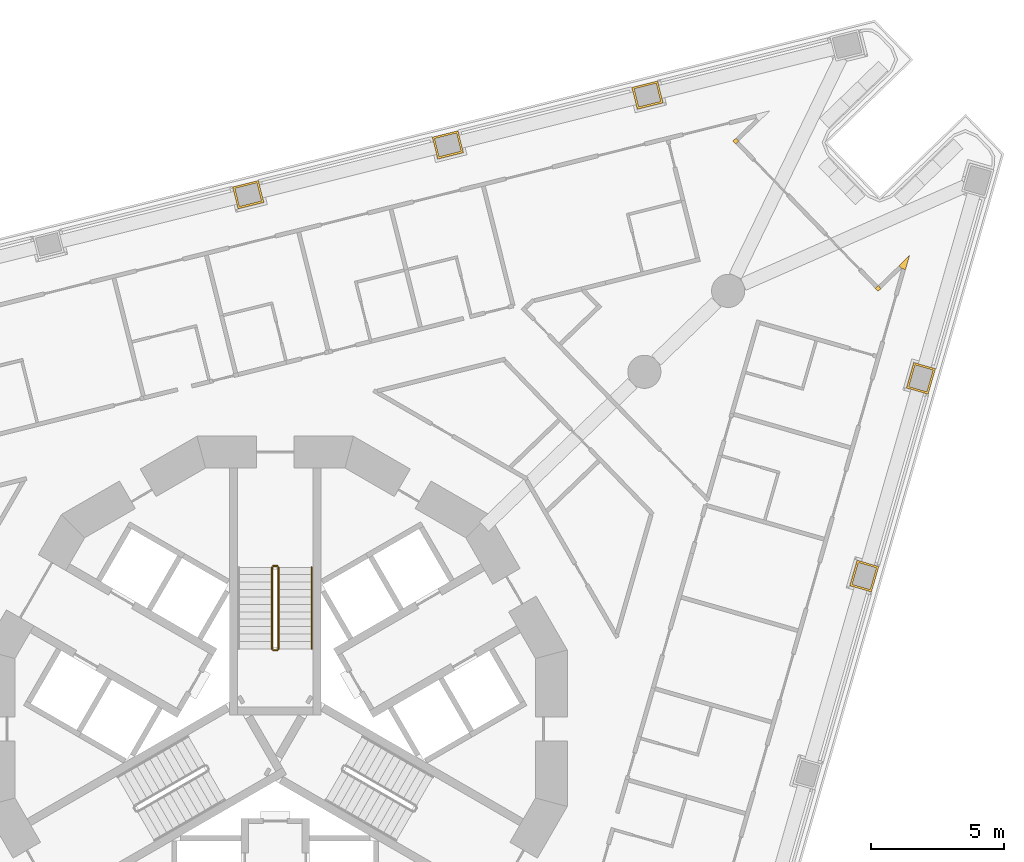
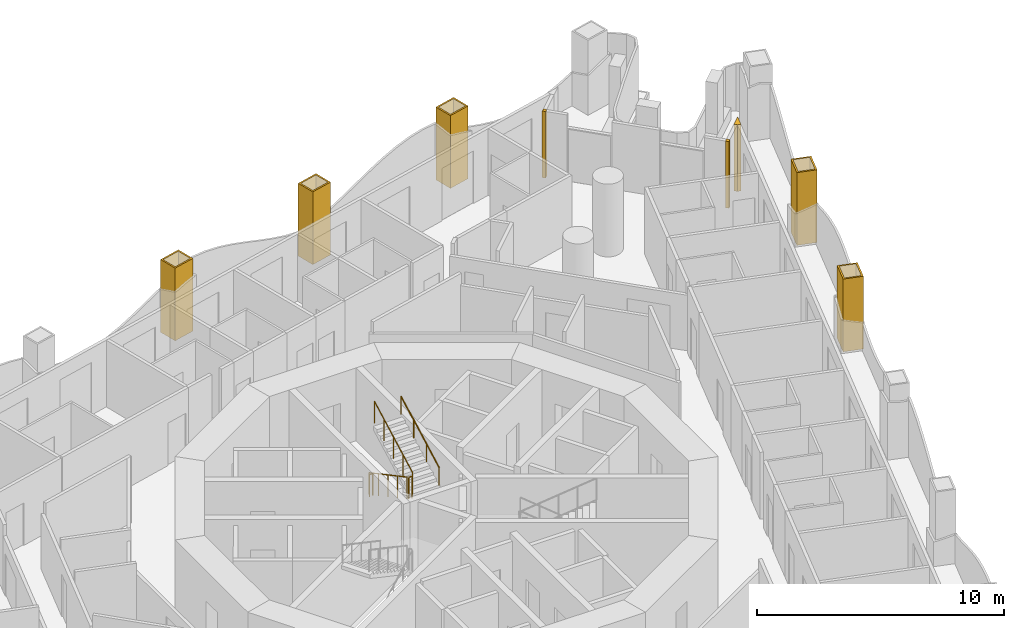
# One storey, part 17 of 19: 8 coverings, 5 railings.
"""IFC4 building model written with IfcOpenShell, lengths in metres."""

import ifcopenshell
import ifcopenshell.guid

model = None  # the IFC model being written
_history = None  # IfcOwnerHistory: only IFC2X3 demands one
_inside = {}  # id of a spatial element -> (the spatial element, [elements in it])
_under = {}  # id of a project, library or spatial element -> (it, [spatial elements below it])
_declared = {}  # id of a project -> (the project, [libraries it declares])
_typed = {}  # id of a type object -> (the type object, [elements of that type])
_made_of = {}  # id of a material, layer set ... -> (it, [elements and type objects made of it])


def new_model(schema):
    """Start an empty IFC model of exactly this schema.

    Asked for "IFC4X3", IfcOpenShell would pick the latest addendum, in which some entities
    have other attributes; the version numbers below select the first issue.
    IFC2X3 requires an IfcOwnerHistory on every rooted entity: one is made here for all.
    """
    global model, _history
    if schema == "IFC4X3":
        model = ifcopenshell.file(schema_version=(4, 3, 0, 0))
    else:
        model = ifcopenshell.file(schema=schema)
    _inside.clear()
    _under.clear()
    _declared.clear()
    _typed.clear()
    _made_of.clear()
    _history = None
    if model.schema == "IFC2X3":
        org = make("IfcOrganization", Name="unknown")
        user = make(
            "IfcPersonAndOrganization",
            ThePerson=make("IfcPerson", FamilyName="unknown"),
            TheOrganization=org,
        )
        app = make(
            "IfcApplication",
            ApplicationDeveloper=org,
            Version="unknown",
            ApplicationFullName="unknown",
            ApplicationIdentifier="unknown",
        )
        _history = make(
            "IfcOwnerHistory",
            OwningUser=user,
            OwningApplication=app,
            ChangeAction="ADDED",
            CreationDate=0,
        )
    return model


def make(cls, **values):
    """One entity of the class cls with the attributes given. An attribute that is None is left unset."""
    return model.create_entity(
        cls, **{name: value for name, value in values.items() if value is not None}
    )


def rooted(cls, **values):
    """An entity with a GlobalId (a new one), such as an element, a storey or a relation."""
    return make(cls, GlobalId=ifcopenshell.guid.new(), OwnerHistory=_history, **values)


def si_unit(unit_type, name, prefix=None):
    """IfcSIUnit, for example si_unit("LENGTHUNIT", "METRE", prefix="MILLI")."""
    return make("IfcSIUnit", UnitType=unit_type, Prefix=prefix, Name=name)


def assignment(units):
    """IfcUnitAssignment: the units of a project."""
    return None if units is None else make("IfcUnitAssignment", Units=units)


def point(xyz):
    """IfcCartesianPoint."""
    return None if xyz is None else make("IfcCartesianPoint", Coordinates=xyz)


def direction(xyz):
    """IfcDirection."""
    return None if xyz is None else make("IfcDirection", DirectionRatios=xyz)


def frame(location, z_axis=None, x_axis=None):
    """IfcAxis2Placement3D, a coordinate frame: its origin and axes. An axis left out is left unset."""
    return make(
        "IfcAxis2Placement3D",
        Location=point(location),
        Axis=direction(z_axis),
        RefDirection=direction(x_axis),
    )


def frame_2d(location, x_axis=None):
    """IfcAxis2Placement2D, a coordinate frame in the plane: its origin and x axis."""
    return make(
        "IfcAxis2Placement2D", Location=point(location), RefDirection=direction(x_axis)
    )


def origin():
    """The frame at (0, 0, 0) with its axes left unset."""
    return frame((0.0, 0.0, 0.0))


def origin_2d():
    """The frame at (0, 0) in the plane with its x axis left unset."""
    return frame_2d((0.0, 0.0))


def place(relative_to, where):
    """IfcLocalPlacement: puts the frame where relative to a parent placement (None: the world)."""
    return make(
        "IfcLocalPlacement", PlacementRelTo=relative_to, RelativePlacement=where
    )


def context(
    kind, dimensions, precision=None, world=None, true_north=None, identifier=None
):
    """IfcGeometricRepresentationContext, for example the 3D "Model" context."""
    return make(
        "IfcGeometricRepresentationContext",
        ContextIdentifier=identifier,
        ContextType=kind,
        CoordinateSpaceDimension=dimensions,
        Precision=precision,
        WorldCoordinateSystem=world,
        TrueNorth=true_north,
    )


def subcontext(parent, identifier, kind, view, scale=None):
    """IfcGeometricRepresentationSubContext, for example "Body" below "Model"."""
    return make(
        "IfcGeometricRepresentationSubContext",
        ContextIdentifier=identifier,
        ContextType=kind,
        ParentContext=parent,
        TargetScale=scale,
        TargetView=view,
    )


def project(units=None, contexts=None):
    """IfcProject with its units and contexts."""
    return rooted(
        "IfcProject",
        Name="project",
        RepresentationContexts=contexts,
        UnitsInContext=assignment(units),
    )


def spatial(cls, under=None, at=None, **own):
    """A site, building, storey or space (cls), placed at a placement, below another one or the project."""
    s = rooted(cls, ObjectPlacement=at, **own)
    if under is not None:
        _under.setdefault(under.id(), (under, []))[1].append(s)
    return s


def polyline(points):
    """IfcPolyline through the points."""
    return make("IfcPolyline", Points=[point(p) for p in points])


def profile(cls, at=None, kind="AREA", **sizes):
    """A parametric profile (cls). Its sizes go by their IFC names, for example OverallWidth=200.0."""
    return make(cls, ProfileType=kind, Position=at, **sizes)


def circle(**sizes):
    """IfcCircleProfileDef."""
    return profile("IfcCircleProfileDef", **sizes)


def outline(outer, holes=None, kind="AREA"):
    """IfcArbitraryClosedProfileDef: a profile drawn as a closed curve; with holes, ...WithVoids."""
    if holes is None:
        return make("IfcArbitraryClosedProfileDef", ProfileType=kind, OuterCurve=outer)
    return make(
        "IfcArbitraryProfileDefWithVoids",
        ProfileType=kind,
        OuterCurve=outer,
        InnerCurves=holes,
    )


def extrude(swept, where, along, depth):
    """IfcExtrudedAreaSolid: the profile swept, set in the frame where, extruded along a direction by depth."""
    return make(
        "IfcExtrudedAreaSolid",
        SweptArea=swept,
        Position=where,
        ExtrudedDirection=direction(along),
        Depth=depth,
    )


def shape(context_of_items, identifier, shape_type, items):
    """IfcShapeRepresentation: the items that make up one representation, for example the "Body"."""
    return make(
        "IfcShapeRepresentation",
        ContextOfItems=context_of_items,
        RepresentationIdentifier=identifier,
        RepresentationType=shape_type,
        Items=items,
    )


def material(Name=None, Category=None):
    """IfcMaterial."""
    return make("IfcMaterial", Name=Name, Category=Category)


def layer(
    of_material, thickness, ventilated=None, Name=None, Category=None, Priority=None
):
    """IfcMaterialLayer: one layer of a wall or slab, of a material (None: an air gap)."""
    return make(
        "IfcMaterialLayer",
        Material=of_material,
        LayerThickness=thickness,
        IsVentilated=ventilated,
        Name=Name,
        Category=Category,
        Priority=Priority,
    )


def layer_set(layers, Name=None):
    """IfcMaterialLayerSet."""
    return make("IfcMaterialLayerSet", MaterialLayers=layers, LayerSetName=Name)


def made_of(thing, what):
    """Note that an element or type object is made of a material, layer set ...; save() writes the relation."""
    if what is not None:
        _made_of.setdefault(what.id(), (what, []))[1].append(thing)
    return thing


def type_object(cls, material=None, **own):
    """A type object (cls), such as IfcWallType, which elements share."""
    return made_of(rooted(cls, **own), material)


def element(
    cls,
    number,
    at=None,
    inside=None,
    cuts=None,
    type_object=None,
    material=None,
    context=None,
    identifier="Body",
    shape_type=None,
    held_by="IfcProductDefinitionShape",
    body=None,
    shapes=None,
    **own,
):
    """One element of the class cls, such as IfcWall. Its Tag is "e" and its number.

    at: its placement. inside: the storey or other place that contains it. cuts: it is an
    opening in that element (IfcRelVoidsElement). A single representation is given by context,
    identifier, shape_type and body (its items); several are given by shapes. held_by: the class
    of the entity that holds the representations. save() writes the other relations.
    """
    e = rooted(cls, Tag="e%d" % number, ObjectPlacement=at, **own)
    if body is not None:
        shapes = [shape(context, identifier, shape_type, body)]
    if shapes is not None:
        e.Representation = make(held_by, Representations=shapes)
    if inside is not None:
        _inside.setdefault(inside.id(), (inside, []))[1].append(e)
    if cuts is not None:
        rooted(
            "IfcRelVoidsElement", RelatingBuildingElement=cuts, RelatedOpeningElement=e
        )
    if type_object is not None:
        _typed.setdefault(type_object.id(), (type_object, []))[1].append(e)
    return made_of(e, material)


def aggregate(whole, parts):
    """IfcRelAggregates: a whole, such as a stair, and the parts it consists of."""
    return rooted("IfcRelAggregates", RelatingObject=whole, RelatedObjects=parts)


def save(model, path):
    """Write the relations noted so far, then the file.

    IfcRelAggregates (storeys below a building ...), IfcRelContainedInSpatialStructure (elements
    in a storey), IfcRelDefinesByType, IfcRelAssociatesMaterial and IfcRelDeclares: one each for
    every whole, place, type object, material and project.
    """
    for whole, parts in _under.values():
        aggregate(whole, parts)
    for where, things in _inside.values():
        rooted(
            "IfcRelContainedInSpatialStructure",
            RelatedElements=things,
            RelatingStructure=where,
        )
    for kind, things in _typed.values():
        rooted("IfcRelDefinesByType", RelatedObjects=things, RelatingType=kind)
    for what, things in _made_of.values():
        rooted("IfcRelAssociatesMaterial", RelatedObjects=things, RelatingMaterial=what)
    for by, libraries in _declared.values():
        rooted("IfcRelDeclares", RelatingContext=by, RelatedDefinitions=libraries)
    model.write(path)


model = new_model("IFC4")

# Units and contexts
model_context = context("Model", 3, precision=1e-05, world=origin(), true_north=direction((0.0, 1.0)))
body_context = subcontext(model_context, "Body", "Model", "MODEL_VIEW")
ifc_project = project(units=[si_unit("LENGTHUNIT", "METRE"), si_unit("AREAUNIT", "SQUARE_METRE"), si_unit("VOLUMEUNIT", "CUBIC_METRE"), si_unit("PLANEANGLEUNIT", "RADIAN"), si_unit("MASSUNIT", "GRAM", prefix="KILO")], contexts=[model_context])

# Site, building, storey
site_placement = place(None, origin())
site = spatial("IfcSite", under=ifc_project, at=site_placement, CompositionType="ELEMENT")
building_placement = place(site_placement, origin())
building = spatial("IfcBuilding", under=site, at=building_placement, Name="Trine Commons Tower", CompositionType="ELEMENT")
storey_placement = place(building_placement, frame((0.0, 0.0, 105.300048828125)))
storey = spatial("IfcBuildingStorey", under=building, at=storey_placement, Name="L26", CompositionType="ELEMENT", Elevation=105.300048828125)

# Coverings
ifc_material_1 = material(Name="Aluminium-framed insulated wall panel", Category="aluminium")
ifc_layer_1 = layer(ifc_material_1, 0.14990234375)
ifc_layer_set_1 = layer_set([ifc_layer_1], Name="Aluminium-framed insulated wall panel")
covering_type_1 = type_object("IfcCoveringType", Name="Glazing corner post, aluminium", PredefinedType="CLADDING", material=ifc_layer_set_1)
covering_1_placement = place(storey_placement, origin())
element("IfcCovering", 1, at=covering_1_placement, inside=storey, type_object=covering_type_1, Name="Glazing corner post 3-06", PredefinedType="CLADDING", context=body_context, shape_type="SweptSolid", body=[
    extrude(outline(polyline([(97.36328125, 84.536376953125), (97.47119140625, 84.640380859375), (97.47119140625, 84.640380859375), (97.366943359375, 84.748291015625), (97.259033203125, 84.644287109375), (97.36328125, 84.536376953125)])), origin(), (0.0, 0.0, 1.0), 3.300048828125),
])
covering_2_placement = place(storey_placement, origin())
element("IfcCovering", 2, at=covering_2_placement, inside=storey, type_object=covering_type_1, Name="Glazing corner post 3-07", PredefinedType="CLADDING", context=body_context, shape_type="SweptSolid", body=[
    extrude(outline(polyline([(102.62890625, 79.083740234375), (102.73291015625, 78.975830078125), (102.8408203125, 79.080078125), (102.73681640625, 79.18798828125), (102.73681640625, 79.18798828125), (102.62890625, 79.083740234375)])), origin(), (0.0, 0.0, 1.0), 3.300048828125),
])
covering_3_placement = place(storey_placement, origin())
element("IfcCovering", 3, at=covering_3_placement, inside=storey, type_object=covering_type_1, Name="Glazing corner post 3-08", PredefinedType="CLADDING", context=body_context, shape_type="SweptSolid", body=[
    extrude(outline(polyline([(103.76611328125, 79.79296875), (103.92041015625, 80.3310546875), (103.517578125, 79.942138671875), (103.621826171875, 79.834228515625), (103.76611328125, 79.79296875)])), origin(), (0.0, 0.0, 1.0), 3.300048828125),
])
ifc_material_2 = material(Name="Limestone, honed", Category="masonry")
ifc_layer_2 = layer(ifc_material_2, 0.074951171875)
ifc_layer_set_2 = layer_set([ifc_layer_2], Name="Limestone, honed")
covering_type_2 = type_object("IfcCoveringType", Name="Limestone column cladding 75", PredefinedType="CLADDING", material=ifc_layer_set_2)
covering_4_placement = place(storey_placement, origin())
element("IfcCovering", 4, at=covering_4_placement, inside=storey, type_object=covering_type_2, Name="Limestone pier cladding 3-13", PredefinedType="CLADDING", context=body_context, shape_type="SweptSolid", body=[
    extrude(outline(polyline([(79.569091796875, 82.32861328125), (79.36328125, 83.1533203125), (78.39306640625, 82.91162109375), (78.598876953125, 82.0869140625), (79.569091796875, 82.32861328125)]), holes=[polyline([(79.47802734375, 82.38330078125), (79.308837890625, 83.0625), (78.484130859375, 82.85693359375), (78.6533203125, 82.177734375), (79.47802734375, 82.38330078125)])]), origin(), (0.0, 0.0, 1.0), 3.599853515625),
])
covering_5_placement = place(storey_placement, origin())
element("IfcCovering", 5, at=covering_5_placement, inside=storey, type_object=covering_type_2, Name="Limestone pier cladding 3-14", PredefinedType="CLADDING", context=body_context, shape_type="SweptSolid", body=[
    extrude(outline(polyline([(87.09619140625, 84.205322265625), (86.890625, 85.030029296875), (85.92041015625, 84.7880859375), (86.1259765625, 83.96337890625), (87.09619140625, 84.205322265625)]), holes=[polyline([(87.00537109375, 84.260009765625), (86.8359375, 84.939208984375), (86.01123046875, 84.733642578125), (86.1806640625, 84.054443359375), (87.00537109375, 84.260009765625)])]), origin(), (0.0, 0.0, 1.0), 3.599853515625),
])
covering_6_placement = place(storey_placement, origin())
element("IfcCovering", 6, at=covering_6_placement, inside=storey, type_object=covering_type_2, Name="Limestone pier cladding 3-15", PredefinedType="CLADDING", context=body_context, shape_type="SweptSolid", body=[
    extrude(outline(polyline([(94.62353515625, 86.082275390625), (94.417724609375, 86.906982421875), (93.447509765625, 86.6650390625), (93.6533203125, 85.84033203125), (94.62353515625, 86.082275390625)]), holes=[polyline([(94.532470703125, 86.13671875), (94.36328125, 86.81591796875), (93.53857421875, 86.6103515625), (93.707763671875, 85.93115234375), (94.532470703125, 86.13671875)])]), origin(), (0.0, 0.0, 1.0), 3.599853515625),
])
covering_7_placement = place(storey_placement, origin())
element("IfcCovering", 7, at=covering_7_placement, inside=storey, type_object=covering_type_2, Name="Limestone pier cladding 3-18", PredefinedType="CLADDING", context=body_context, shape_type="SweptSolid", body=[
    extrude(outline(polyline([(104.895263671875, 76.057373046875), (104.078125, 76.29150390625), (103.802490234375, 75.330322265625), (104.61962890625, 75.095947265625), (104.895263671875, 76.057373046875)]), holes=[polyline([(104.802490234375, 76.005859375), (104.129638671875, 76.19873046875), (103.895263671875, 75.381591796875), (104.568115234375, 75.188720703125), (104.802490234375, 76.005859375)])]), origin(), (0.0, 0.0, 1.0), 3.599853515625),
])
covering_8_placement = place(storey_placement, origin())
element("IfcCovering", 8, at=covering_8_placement, inside=storey, type_object=covering_type_2, Name="Limestone pier cladding 3-19", PredefinedType="CLADDING", context=body_context, shape_type="SweptSolid", body=[
    extrude(outline(polyline([(102.757080078125, 68.60009765625), (101.93994140625, 68.83447265625), (101.664306640625, 67.873291015625), (102.481201171875, 67.638916015625), (102.757080078125, 68.60009765625)]), holes=[polyline([(102.664306640625, 68.548828125), (101.9912109375, 68.74169921875), (101.757080078125, 67.924560546875), (102.429931640625, 67.731689453125), (102.664306640625, 68.548828125)])]), origin(), (0.0, 0.0, 1.0), 3.599853515625),
])

# Railings
ifc_material_3 = material(Name="Stainless steel balustrade", Category="steel")
railing_type_1 = type_object("IfcRailingType", Name="Stair guard, steel balustrade 1100", PredefinedType="GUARDRAIL", material=ifc_material_3)
railing_1_placement = place(storey_placement, frame((79.875, 68.570556640625, 0.14990234375)))
element("IfcRailing", 9, at=railing_1_placement, inside=storey, type_object=railing_type_1, Name="L26 ST1A stair guard 1", PredefinedType="GUARDRAIL", context=body_context, shape_type="SweptSolid", body=[
    extrude(circle(Radius=0.02392578125, at=origin_2d()), frame((0.0, 0.0, 1.076171875), z_axis=(0.0, -0.881467505477, 0.472244678941), x_axis=(1.0, 0.0, 0.0)), (0.0, 0.0, 1.0), 3.494140625),
    extrude(circle(Radius=0.02099609375, at=origin_2d()), origin(), (0.0, 0.0, 1.0), 1.052001953125),
    extrude(circle(Radius=0.02099609375, at=origin_2d()), frame((0.0, -0.77001953125, 0.41259765625)), (0.0, 0.0, 1.0), 1.052001953125),
    extrude(circle(Radius=0.02099609375, at=origin_2d()), frame((0.0, -1.5400390625, 0.8251953125)), (0.0, 0.0, 1.0), 1.052001953125),
    extrude(circle(Radius=0.02099609375, at=origin_2d()), frame((0.0, -2.31005859375, 1.237548828125)), (0.0, 0.0, 1.0), 1.052001953125),
    extrude(circle(Radius=0.02099609375, at=origin_2d()), frame((0.0, -3.080078125, 1.650146484375)), (0.0, 0.0, 1.0), 1.052001953125),
])
railing_2_placement = place(storey_placement, frame((79.925048828125, 65.440673828125, 1.800048828125)))
element("IfcRailing", 10, at=railing_2_placement, inside=storey, type_object=railing_type_1, Name="L26 ST1A stair guard 2", PredefinedType="GUARDRAIL", context=body_context, shape_type="SweptSolid", body=[
    extrude(circle(Radius=0.02392578125, at=origin_2d()), frame((0.0, 0.0, 1.076171875), z_axis=(1.0, 0.0, 0.0), x_axis=(0.0, 1.0, 0.0)), (0.0, 0.0, 1.0), 0.14990234375),
    extrude(circle(Radius=0.02099609375, at=origin_2d()), origin(), (0.0, 0.0, 1.0), 1.052001953125),
    extrude(circle(Radius=0.02099609375, at=origin_2d()), frame((0.14990234375, 0.0, 0.0)), (0.0, 0.0, 1.0), 1.052001953125),
])
railing_3_placement = place(storey_placement, frame((80.125, 65.490478515625, 1.949951171875)))
element("IfcRailing", 11, at=railing_3_placement, inside=storey, type_object=railing_type_1, Name="L26 ST1A stair guard 3", PredefinedType="GUARDRAIL", context=body_context, shape_type="SweptSolid", body=[
    extrude(circle(Radius=0.02392578125, at=origin_2d()), frame((0.0, 0.0, 1.076171875), z_axis=(0.0, 0.881496589024, 0.472190389079), x_axis=(-1.0, 0.0, 0.0)), (0.0, 0.0, 1.0), 3.494140625),
    extrude(circle(Radius=0.02099609375, at=origin_2d()), origin(), (0.0, 0.0, 1.0), 1.052001953125),
    extrude(circle(Radius=0.02099609375, at=origin_2d()), frame((0.0, 0.77001953125, 0.41259765625)), (0.0, 0.0, 1.0), 1.052001953125),
    extrude(circle(Radius=0.02099609375, at=origin_2d()), frame((0.0, 1.5400390625, 0.824951171875)), (0.0, 0.0, 1.0), 1.052001953125),
    extrude(circle(Radius=0.02099609375, at=origin_2d()), frame((0.0, 2.31005859375, 1.2373046875)), (0.0, 0.0, 1.0), 1.052001953125),
    extrude(circle(Radius=0.02099609375, at=origin_2d()), frame((0.0, 3.080078125, 1.64990234375)), (0.0, 0.0, 1.0), 1.052001953125),
])
railing_4_placement = place(storey_placement, frame((79.925048828125, 68.62060546875, 0.0)))
element("IfcRailing", 12, at=railing_4_placement, inside=storey, type_object=railing_type_1, Name="L26 ST1A stair guard 4", PredefinedType="GUARDRAIL", context=body_context, shape_type="SweptSolid", body=[
    extrude(circle(Radius=0.02392578125, at=origin_2d()), frame((0.0, 0.0, 1.076171875), z_axis=(1.0, 0.0, 0.0), x_axis=(0.0, 1.0, 0.0)), (0.0, 0.0, 1.0), 0.14990234375),
    extrude(circle(Radius=0.02099609375, at=origin_2d()), origin(), (0.0, 0.0, 1.0), 1.052001953125),
    extrude(circle(Radius=0.02099609375, at=origin_2d()), frame((0.14990234375, 0.0, 0.0)), (0.0, 0.0, 1.0), 1.052001953125),
])
ifc_material_4 = material(Name="Stainless steel handrail", Category="steel")
railing_type_2 = type_object("IfcRailingType", Name="Stair handrail, steel 900", PredefinedType="HANDRAIL", material=ifc_material_4)
railing_5_placement = place(storey_placement, frame((81.375, 65.490478515625, 1.949951171875)))
element("IfcRailing", 13, at=railing_5_placement, inside=storey, type_object=railing_type_2, Name="L26 ST1A stair handrail 2", PredefinedType="HANDRAIL", context=body_context, shape_type="SweptSolid", body=[
    extrude(circle(Radius=0.02099609375, at=origin_2d()), frame((0.0, 0.0, 0.87890625), z_axis=(0.0, 0.881496589024, 0.472190389079), x_axis=(-1.0, 0.0, 0.0)), (0.0, 0.0, 1.0), 3.494140625),
    extrude(circle(Radius=0.01513671875, at=origin_2d()), origin(), (0.0, 0.0, 1.0), 0.85791015625),
    extrude(circle(Radius=0.01513671875, at=origin_2d()), frame((0.0, 1.026611328125, 0.550048828125)), (0.0, 0.0, 1.0), 0.85791015625),
    extrude(circle(Radius=0.01513671875, at=origin_2d()), frame((0.0, 2.053466796875, 1.099853515625)), (0.0, 0.0, 1.0), 0.85791015625),
    extrude(circle(Radius=0.01513671875, at=origin_2d()), frame((0.0, 3.080078125, 1.64990234375)), (0.0, 0.0, 1.0), 0.85791015625),
])

save(model, "model.ifc")
